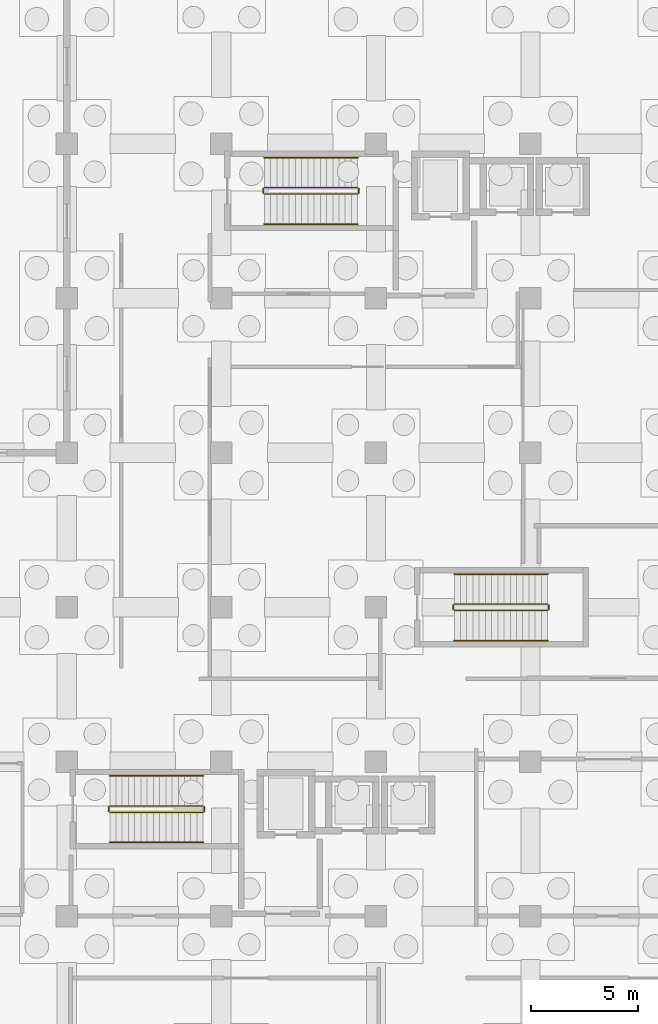
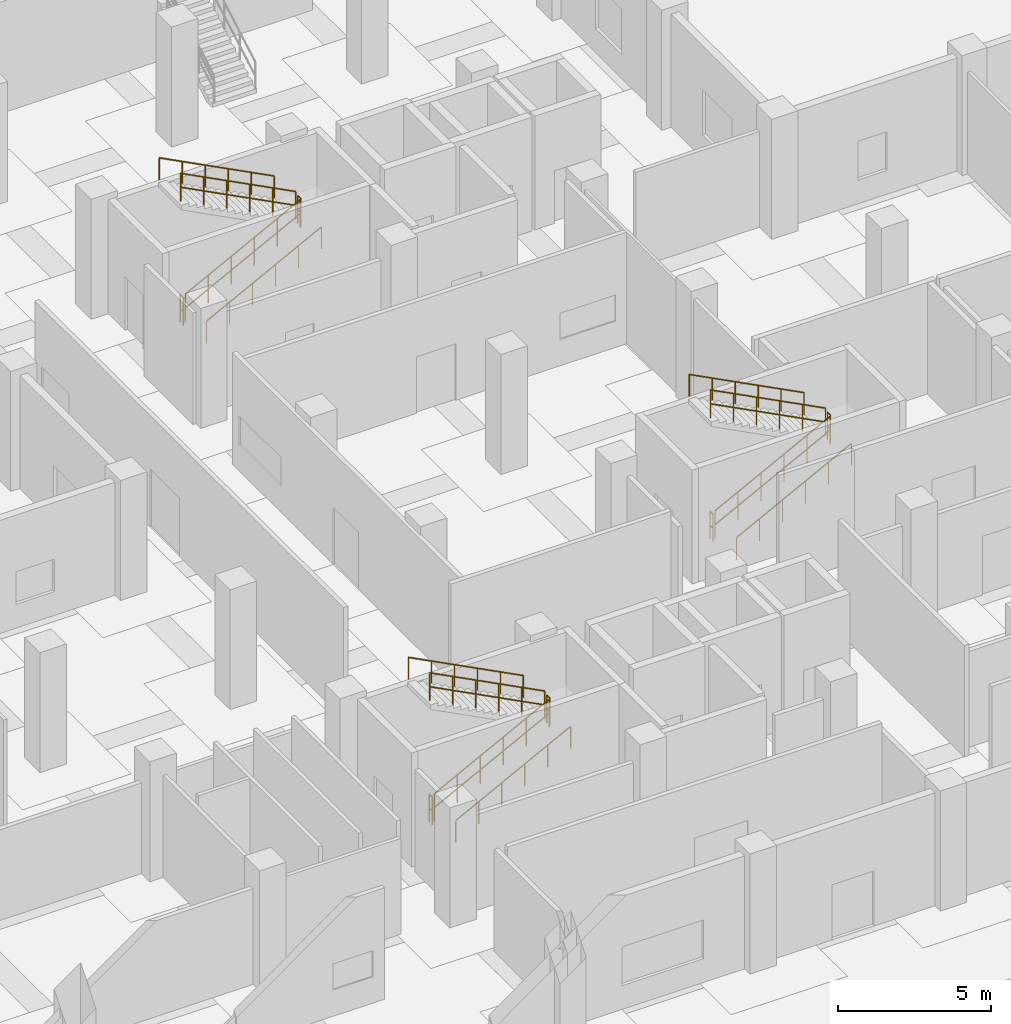
# One storey, part 41 of 48: 18 railings.
"""IFC4 building model written with IfcOpenShell, lengths in metres."""

from ifc_helpers import new_model, si_unit, direction, frame, origin, origin_2d, place, context, subcontext, project, spatial, circle, extrude, material, type_object, element, save


model = new_model("IFC4")

# Units and contexts
model_context = context("Model", 3, precision=1e-05, world=origin(), true_north=direction((0.0, 1.0)))
body_context = subcontext(model_context, "Body", "Model", "MODEL_VIEW")
ifc_project = project(units=[si_unit("LENGTHUNIT", "METRE"), si_unit("AREAUNIT", "SQUARE_METRE"), si_unit("VOLUMEUNIT", "CUBIC_METRE"), si_unit("PLANEANGLEUNIT", "RADIAN"), si_unit("MASSUNIT", "GRAM", prefix="KILO")], contexts=[model_context])

# Site, building, storey
site_placement = place(None, origin())
site = spatial("IfcSite", under=ifc_project, at=site_placement, CompositionType="ELEMENT")
building_placement = place(site_placement, origin())
building = spatial("IfcBuilding", under=site, at=building_placement, Name="Seraya Terrace Polytechnic", CompositionType="ELEMENT")
storey_placement = place(building_placement, origin())
storey = spatial("IfcBuildingStorey", under=building, at=storey_placement, Name="L00", CompositionType="ELEMENT", Elevation=0.0)

# Railings
ifc_material = material(Name="Steel S355J2", Category="steel")
railing_type_1 = type_object("IfcRailingType", Name="GR-02", PredefinedType="GUARDRAIL", material=ifc_material)
railing_1_placement = place(storey_placement, frame((81.199951171875, 12.050048828125, 0.14990234375)))
element("IfcRailing", 1, at=railing_1_placement, inside=storey, type_object=railing_type_1, Name="L00 ST-01 stair guard 1", PredefinedType="GUARDRAIL", context=body_context, shape_type="SweptSolid", body=[
    extrude(circle(Radius=0.02392578125, at=origin_2d()), frame((0.0, 0.0, 1.10595703125), z_axis=(0.888221851817, 0.0, 0.459414782038), x_axis=(0.0, 1.0, 0.0)), (0.0, 0.0, 1.0), 4.8974609375),
    extrude(circle(Radius=0.02392578125, at=origin_2d()), frame((0.0, 0.0, 0.550048828125), z_axis=(0.888221851817, 0.0, 0.459414782038), x_axis=(0.0, 1.0, 0.0)), (0.0, 0.0, 1.0), 4.8974609375),
    extrude(circle(Radius=0.02099609375, at=origin_2d()), origin(), (0.0, 0.0, 1.0), 1.081787109375),
    extrude(circle(Radius=0.02099609375, at=origin_2d()), frame((0.8701171875, 0.0, 0.449951171875)), (0.0, 0.0, 1.0), 1.081787109375),
    extrude(circle(Radius=0.02099609375, at=origin_2d()), frame((1.739990234375, 0.0, 0.89990234375)), (0.0, 0.0, 1.0), 1.081787109375),
    extrude(circle(Radius=0.02099609375, at=origin_2d()), frame((2.610107421875, 0.0, 1.35009765625)), (0.0, 0.0, 1.0), 1.081787109375),
    extrude(circle(Radius=0.02099609375, at=origin_2d()), frame((3.47998046875, 0.0, 1.800048828125)), (0.0, 0.0, 1.0), 1.081787109375),
    extrude(circle(Radius=0.02099609375, at=origin_2d()), frame((4.35009765625, 0.0, 2.25)), (0.0, 0.0, 1.0), 1.081787109375),
])
railing_2_placement = place(storey_placement, frame((85.60009765625, 12.10009765625, 2.39990234375)))
element("IfcRailing", 2, at=railing_2_placement, inside=storey, type_object=railing_type_1, Name="L00 ST-01 stair guard 2", PredefinedType="GUARDRAIL", context=body_context, shape_type="SweptSolid", body=[
    extrude(circle(Radius=0.02392578125, at=origin_2d()), frame((0.0, 0.0, 1.10595703125), z_axis=(0.0, 1.0, 0.0), x_axis=(-1.0, 0.0, 0.0)), (0.0, 0.0, 1.0), 0.199951171875),
    extrude(circle(Radius=0.02392578125, at=origin_2d()), frame((0.0, 0.0, 0.550048828125), z_axis=(0.0, 1.0, 0.0), x_axis=(-1.0, 0.0, 0.0)), (0.0, 0.0, 1.0), 0.199951171875),
    extrude(circle(Radius=0.02099609375, at=origin_2d()), origin(), (0.0, 0.0, 1.0), 1.081787109375),
    extrude(circle(Radius=0.02099609375, at=origin_2d()), frame((0.0, 0.199951171875, 0.0)), (0.0, 0.0, 1.0), 1.081787109375),
])
railing_3_placement = place(storey_placement, frame((85.550048828125, 12.35009765625, 2.550048828125)))
element("IfcRailing", 3, at=railing_3_placement, inside=storey, type_object=railing_type_1, Name="L00 ST-01 stair guard 3", PredefinedType="GUARDRAIL", context=body_context, shape_type="SweptSolid", body=[
    extrude(circle(Radius=0.02392578125, at=origin_2d()), frame((0.0, 0.0, 1.10595703125), z_axis=(-0.888221851817, 0.0, 0.459414782038), x_axis=(0.0, -1.0, 0.0)), (0.0, 0.0, 1.0), 4.8974609375),
    extrude(circle(Radius=0.02392578125, at=origin_2d()), frame((0.0, 0.0, 0.550048828125), z_axis=(-0.888221851817, 0.0, 0.459414782038), x_axis=(0.0, -1.0, 0.0)), (0.0, 0.0, 1.0), 4.8974609375),
    extrude(circle(Radius=0.02099609375, at=origin_2d()), origin(), (0.0, 0.0, 1.0), 1.081787109375),
    extrude(circle(Radius=0.02099609375, at=origin_2d()), frame((-0.8701171875, 0.0, 0.449951171875)), (0.0, 0.0, 1.0), 1.081787109375),
    extrude(circle(Radius=0.02099609375, at=origin_2d()), frame((-1.739990234375, 0.0, 0.89990234375)), (0.0, 0.0, 1.0), 1.081787109375),
    extrude(circle(Radius=0.02099609375, at=origin_2d()), frame((-2.610107421875, 0.0, 1.35009765625)), (0.0, 0.0, 1.0), 1.081787109375),
    extrude(circle(Radius=0.02099609375, at=origin_2d()), frame((-3.47998046875, 0.0, 1.800048828125)), (0.0, 0.0, 1.0), 1.081787109375),
    extrude(circle(Radius=0.02099609375, at=origin_2d()), frame((-4.35009765625, 0.0, 2.25)), (0.0, 0.0, 1.0), 1.081787109375),
])
railing_4_placement = place(storey_placement, frame((81.14990234375, 12.10009765625, 0.0)))
element("IfcRailing", 4, at=railing_4_placement, inside=storey, type_object=railing_type_1, Name="L00 ST-01 stair guard 4", PredefinedType="GUARDRAIL", context=body_context, shape_type="SweptSolid", body=[
    extrude(circle(Radius=0.02392578125, at=origin_2d()), frame((0.0, 0.0, 1.10595703125), z_axis=(0.0, 1.0, 0.0), x_axis=(-1.0, 0.0, 0.0)), (0.0, 0.0, 1.0), 0.199951171875),
    extrude(circle(Radius=0.02392578125, at=origin_2d()), frame((0.0, 0.0, 0.550048828125), z_axis=(0.0, 1.0, 0.0), x_axis=(-1.0, 0.0, 0.0)), (0.0, 0.0, 1.0), 0.199951171875),
    extrude(circle(Radius=0.02099609375, at=origin_2d()), origin(), (0.0, 0.0, 1.0), 1.081787109375),
    extrude(circle(Radius=0.02099609375, at=origin_2d()), frame((0.0, 0.199951171875, 0.0)), (0.0, 0.0, 1.0), 1.081787109375),
])
railing_5_placement = place(storey_placement, frame((88.39990234375, 40.85009765625, 0.14990234375)))
element("IfcRailing", 5, at=railing_5_placement, inside=storey, type_object=railing_type_1, Name="L00 ST-02 stair guard 1", PredefinedType="GUARDRAIL", context=body_context, shape_type="SweptSolid", body=[
    extrude(circle(Radius=0.02392578125, at=origin_2d()), frame((0.0, 0.0, 1.10595703125), z_axis=(0.888221851817, 0.0, 0.459414782038), x_axis=(0.0, 1.0, 0.0)), (0.0, 0.0, 1.0), 4.8974609375),
    extrude(circle(Radius=0.02392578125, at=origin_2d()), frame((0.0, 0.0, 0.550048828125), z_axis=(0.888221851817, 0.0, 0.459414782038), x_axis=(0.0, 1.0, 0.0)), (0.0, 0.0, 1.0), 4.8974609375),
    extrude(circle(Radius=0.02099609375, at=origin_2d()), origin(), (0.0, 0.0, 1.0), 1.081787109375),
    extrude(circle(Radius=0.02099609375, at=origin_2d()), frame((0.8701171875, 0.0, 0.449951171875)), (0.0, 0.0, 1.0), 1.081787109375),
    extrude(circle(Radius=0.02099609375, at=origin_2d()), frame((1.739990234375, 0.0, 0.89990234375)), (0.0, 0.0, 1.0), 1.081787109375),
    extrude(circle(Radius=0.02099609375, at=origin_2d()), frame((2.610107421875, 0.0, 1.35009765625)), (0.0, 0.0, 1.0), 1.081787109375),
    extrude(circle(Radius=0.02099609375, at=origin_2d()), frame((3.47998046875, 0.0, 1.800048828125)), (0.0, 0.0, 1.0), 1.081787109375),
    extrude(circle(Radius=0.02099609375, at=origin_2d()), frame((4.35009765625, 0.0, 2.25)), (0.0, 0.0, 1.0), 1.081787109375),
])
railing_6_placement = place(storey_placement, frame((92.800048828125, 40.89990234375, 2.39990234375)))
element("IfcRailing", 6, at=railing_6_placement, inside=storey, type_object=railing_type_1, Name="L00 ST-02 stair guard 2", PredefinedType="GUARDRAIL", context=body_context, shape_type="SweptSolid", body=[
    extrude(circle(Radius=0.02392578125, at=origin_2d()), frame((0.0, 0.0, 1.10595703125), z_axis=(0.0, 1.0, 0.0), x_axis=(-1.0, 0.0, 0.0)), (0.0, 0.0, 1.0), 0.2001953125),
    extrude(circle(Radius=0.02392578125, at=origin_2d()), frame((0.0, 0.0, 0.550048828125), z_axis=(0.0, 1.0, 0.0), x_axis=(-1.0, 0.0, 0.0)), (0.0, 0.0, 1.0), 0.2001953125),
    extrude(circle(Radius=0.02099609375, at=origin_2d()), origin(), (0.0, 0.0, 1.0), 1.081787109375),
    extrude(circle(Radius=0.02099609375, at=origin_2d()), frame((0.0, 0.2001953125, 0.0)), (0.0, 0.0, 1.0), 1.081787109375),
])
railing_7_placement = place(storey_placement, frame((92.75, 41.14990234375, 2.550048828125)))
element("IfcRailing", 7, at=railing_7_placement, inside=storey, type_object=railing_type_1, Name="L00 ST-02 stair guard 3", PredefinedType="GUARDRAIL", context=body_context, shape_type="SweptSolid", body=[
    extrude(circle(Radius=0.02392578125, at=origin_2d()), frame((0.0, 0.0, 1.10595703125), z_axis=(-0.888221851817, 0.0, 0.459414782038), x_axis=(0.0, -1.0, 0.0)), (0.0, 0.0, 1.0), 4.8974609375),
    extrude(circle(Radius=0.02392578125, at=origin_2d()), frame((0.0, 0.0, 0.550048828125), z_axis=(-0.888221851817, 0.0, 0.459414782038), x_axis=(0.0, -1.0, 0.0)), (0.0, 0.0, 1.0), 4.8974609375),
    extrude(circle(Radius=0.02099609375, at=origin_2d()), origin(), (0.0, 0.0, 1.0), 1.081787109375),
    extrude(circle(Radius=0.02099609375, at=origin_2d()), frame((-0.8701171875, 0.0, 0.449951171875)), (0.0, 0.0, 1.0), 1.081787109375),
    extrude(circle(Radius=0.02099609375, at=origin_2d()), frame((-1.739990234375, 0.0, 0.89990234375)), (0.0, 0.0, 1.0), 1.081787109375),
    extrude(circle(Radius=0.02099609375, at=origin_2d()), frame((-2.610107421875, 0.0, 1.35009765625)), (0.0, 0.0, 1.0), 1.081787109375),
    extrude(circle(Radius=0.02099609375, at=origin_2d()), frame((-3.47998046875, 0.0, 1.800048828125)), (0.0, 0.0, 1.0), 1.081787109375),
    extrude(circle(Radius=0.02099609375, at=origin_2d()), frame((-4.35009765625, 0.0, 2.25)), (0.0, 0.0, 1.0), 1.081787109375),
])
railing_8_placement = place(storey_placement, frame((88.35009765625, 40.89990234375, 0.0)))
element("IfcRailing", 8, at=railing_8_placement, inside=storey, type_object=railing_type_1, Name="L00 ST-02 stair guard 4", PredefinedType="GUARDRAIL", context=body_context, shape_type="SweptSolid", body=[
    extrude(circle(Radius=0.02392578125, at=origin_2d()), frame((0.0, 0.0, 1.10595703125), z_axis=(0.0, 1.0, 0.0), x_axis=(-1.0, 0.0, 0.0)), (0.0, 0.0, 1.0), 0.2001953125),
    extrude(circle(Radius=0.02392578125, at=origin_2d()), frame((0.0, 0.0, 0.550048828125), z_axis=(0.0, 1.0, 0.0), x_axis=(-1.0, 0.0, 0.0)), (0.0, 0.0, 1.0), 0.2001953125),
    extrude(circle(Radius=0.02099609375, at=origin_2d()), origin(), (0.0, 0.0, 1.0), 1.081787109375),
    extrude(circle(Radius=0.02099609375, at=origin_2d()), frame((0.0, 0.2001953125, 0.0)), (0.0, 0.0, 1.0), 1.081787109375),
])
railing_9_placement = place(storey_placement, frame((97.25, 21.449951171875, 0.14990234375)))
element("IfcRailing", 9, at=railing_9_placement, inside=storey, type_object=railing_type_1, Name="L00 ST-05 stair guard 1", PredefinedType="GUARDRAIL", context=body_context, shape_type="SweptSolid", body=[
    extrude(circle(Radius=0.02392578125, at=origin_2d()), frame((0.0, 0.0, 1.10595703125), z_axis=(0.888221851817, 0.0, 0.459414782038), x_axis=(0.0, 1.0, 0.0)), (0.0, 0.0, 1.0), 4.8974609375),
    extrude(circle(Radius=0.02392578125, at=origin_2d()), frame((0.0, 0.0, 0.550048828125), z_axis=(0.888221851817, 0.0, 0.459414782038), x_axis=(0.0, 1.0, 0.0)), (0.0, 0.0, 1.0), 4.8974609375),
    extrude(circle(Radius=0.02099609375, at=origin_2d()), origin(), (0.0, 0.0, 1.0), 1.081787109375),
    extrude(circle(Radius=0.02099609375, at=origin_2d()), frame((0.8701171875, 0.0, 0.449951171875)), (0.0, 0.0, 1.0), 1.081787109375),
    extrude(circle(Radius=0.02099609375, at=origin_2d()), frame((1.739990234375, 0.0, 0.89990234375)), (0.0, 0.0, 1.0), 1.081787109375),
    extrude(circle(Radius=0.02099609375, at=origin_2d()), frame((2.610107421875, 0.0, 1.35009765625)), (0.0, 0.0, 1.0), 1.081787109375),
    extrude(circle(Radius=0.02099609375, at=origin_2d()), frame((3.47998046875, 0.0, 1.800048828125)), (0.0, 0.0, 1.0), 1.081787109375),
    extrude(circle(Radius=0.02099609375, at=origin_2d()), frame((4.35009765625, 0.0, 2.25)), (0.0, 0.0, 1.0), 1.081787109375),
])
railing_10_placement = place(storey_placement, frame((101.64990234375, 21.5, 2.39990234375)))
element("IfcRailing", 10, at=railing_10_placement, inside=storey, type_object=railing_type_1, Name="L00 ST-05 stair guard 2", PredefinedType="GUARDRAIL", context=body_context, shape_type="SweptSolid", body=[
    extrude(circle(Radius=0.02392578125, at=origin_2d()), frame((0.0, 0.0, 1.10595703125), z_axis=(0.0, 1.0, 0.0), x_axis=(-1.0, 0.0, 0.0)), (0.0, 0.0, 1.0), 0.199951171875),
    extrude(circle(Radius=0.02392578125, at=origin_2d()), frame((0.0, 0.0, 0.550048828125), z_axis=(0.0, 1.0, 0.0), x_axis=(-1.0, 0.0, 0.0)), (0.0, 0.0, 1.0), 0.199951171875),
    extrude(circle(Radius=0.02099609375, at=origin_2d()), origin(), (0.0, 0.0, 1.0), 1.081787109375),
    extrude(circle(Radius=0.02099609375, at=origin_2d()), frame((0.0, 0.199951171875, 0.0)), (0.0, 0.0, 1.0), 1.081787109375),
])
railing_11_placement = place(storey_placement, frame((101.60009765625, 21.75, 2.550048828125)))
element("IfcRailing", 11, at=railing_11_placement, inside=storey, type_object=railing_type_1, Name="L00 ST-05 stair guard 3", PredefinedType="GUARDRAIL", context=body_context, shape_type="SweptSolid", body=[
    extrude(circle(Radius=0.02392578125, at=origin_2d()), frame((0.0, 0.0, 1.10595703125), z_axis=(-0.888221851817, 0.0, 0.459414782038), x_axis=(0.0, -1.0, 0.0)), (0.0, 0.0, 1.0), 4.8974609375),
    extrude(circle(Radius=0.02392578125, at=origin_2d()), frame((0.0, 0.0, 0.550048828125), z_axis=(-0.888221851817, 0.0, 0.459414782038), x_axis=(0.0, -1.0, 0.0)), (0.0, 0.0, 1.0), 4.8974609375),
    extrude(circle(Radius=0.02099609375, at=origin_2d()), origin(), (0.0, 0.0, 1.0), 1.081787109375),
    extrude(circle(Radius=0.02099609375, at=origin_2d()), frame((-0.8701171875, 0.0, 0.449951171875)), (0.0, 0.0, 1.0), 1.081787109375),
    extrude(circle(Radius=0.02099609375, at=origin_2d()), frame((-1.739990234375, 0.0, 0.89990234375)), (0.0, 0.0, 1.0), 1.081787109375),
    extrude(circle(Radius=0.02099609375, at=origin_2d()), frame((-2.610107421875, 0.0, 1.35009765625)), (0.0, 0.0, 1.0), 1.081787109375),
    extrude(circle(Radius=0.02099609375, at=origin_2d()), frame((-3.47998046875, 0.0, 1.800048828125)), (0.0, 0.0, 1.0), 1.081787109375),
    extrude(circle(Radius=0.02099609375, at=origin_2d()), frame((-4.35009765625, 0.0, 2.25)), (0.0, 0.0, 1.0), 1.081787109375),
])
railing_12_placement = place(storey_placement, frame((97.199951171875, 21.5, 0.0)))
element("IfcRailing", 12, at=railing_12_placement, inside=storey, type_object=railing_type_1, Name="L00 ST-05 stair guard 4", PredefinedType="GUARDRAIL", context=body_context, shape_type="SweptSolid", body=[
    extrude(circle(Radius=0.02392578125, at=origin_2d()), frame((0.0, 0.0, 1.10595703125), z_axis=(0.0, 1.0, 0.0), x_axis=(-1.0, 0.0, 0.0)), (0.0, 0.0, 1.0), 0.199951171875),
    extrude(circle(Radius=0.02392578125, at=origin_2d()), frame((0.0, 0.0, 0.550048828125), z_axis=(0.0, 1.0, 0.0), x_axis=(-1.0, 0.0, 0.0)), (0.0, 0.0, 1.0), 0.199951171875),
    extrude(circle(Radius=0.02099609375, at=origin_2d()), origin(), (0.0, 0.0, 1.0), 1.081787109375),
    extrude(circle(Radius=0.02099609375, at=origin_2d()), frame((0.0, 0.199951171875, 0.0)), (0.0, 0.0, 1.0), 1.081787109375),
])
railing_type_2 = type_object("IfcRailingType", Name="HR-01", PredefinedType="HANDRAIL", material=ifc_material)
railing_13_placement = place(storey_placement, frame((81.199951171875, 10.64990234375, 0.14990234375)))
element("IfcRailing", 13, at=railing_13_placement, inside=storey, type_object=railing_type_2, Name="L00 ST-01 stair handrail 1", PredefinedType="HANDRAIL", context=body_context, shape_type="SweptSolid", body=[
    extrude(circle(Radius=0.02392578125, at=origin_2d()), frame((0.0, 0.0, 0.8759765625), z_axis=(0.888221851817, 0.0, 0.459414782038), x_axis=(0.0, 1.0, 0.0)), (0.0, 0.0, 1.0), 4.8974609375),
    extrude(circle(Radius=0.02099609375, at=origin_2d()), origin(), (0.0, 0.0, 1.0), 0.851806640625),
    extrude(circle(Radius=0.02099609375, at=origin_2d()), frame((0.8701171875, 0.0, 0.449951171875)), (0.0, 0.0, 1.0), 0.851806640625),
    extrude(circle(Radius=0.02099609375, at=origin_2d()), frame((1.739990234375, 0.0, 0.89990234375)), (0.0, 0.0, 1.0), 0.851806640625),
    extrude(circle(Radius=0.02099609375, at=origin_2d()), frame((2.610107421875, 0.0, 1.35009765625)), (0.0, 0.0, 1.0), 0.851806640625),
    extrude(circle(Radius=0.02099609375, at=origin_2d()), frame((3.47998046875, 0.0, 1.800048828125)), (0.0, 0.0, 1.0), 0.851806640625),
    extrude(circle(Radius=0.02099609375, at=origin_2d()), frame((4.35009765625, 0.0, 2.25)), (0.0, 0.0, 1.0), 0.851806640625),
])
railing_14_placement = place(storey_placement, frame((85.550048828125, 13.75, 2.550048828125)))
element("IfcRailing", 14, at=railing_14_placement, inside=storey, type_object=railing_type_2, Name="L00 ST-01 stair handrail 2", PredefinedType="HANDRAIL", context=body_context, shape_type="SweptSolid", body=[
    extrude(circle(Radius=0.02392578125, at=origin_2d()), frame((0.0, 0.0, 0.8759765625), z_axis=(-0.888221851817, 0.0, 0.459414782038), x_axis=(0.0, -1.0, 0.0)), (0.0, 0.0, 1.0), 4.8974609375),
    extrude(circle(Radius=0.02099609375, at=origin_2d()), origin(), (0.0, 0.0, 1.0), 0.851806640625),
    extrude(circle(Radius=0.02099609375, at=origin_2d()), frame((-0.8701171875, 0.0, 0.449951171875)), (0.0, 0.0, 1.0), 0.851806640625),
    extrude(circle(Radius=0.02099609375, at=origin_2d()), frame((-1.739990234375, 0.0, 0.89990234375)), (0.0, 0.0, 1.0), 0.851806640625),
    extrude(circle(Radius=0.02099609375, at=origin_2d()), frame((-2.610107421875, 0.0, 1.35009765625)), (0.0, 0.0, 1.0), 0.851806640625),
    extrude(circle(Radius=0.02099609375, at=origin_2d()), frame((-3.47998046875, 0.0, 1.800048828125)), (0.0, 0.0, 1.0), 0.851806640625),
    extrude(circle(Radius=0.02099609375, at=origin_2d()), frame((-4.35009765625, 0.0, 2.25)), (0.0, 0.0, 1.0), 0.851806640625),
])
railing_15_placement = place(storey_placement, frame((88.39990234375, 39.449951171875, 0.14990234375)))
element("IfcRailing", 15, at=railing_15_placement, inside=storey, type_object=railing_type_2, Name="L00 ST-02 stair handrail 1", PredefinedType="HANDRAIL", context=body_context, shape_type="SweptSolid", body=[
    extrude(circle(Radius=0.02392578125, at=origin_2d()), frame((0.0, 0.0, 0.8759765625), z_axis=(0.888221851817, 0.0, 0.459414782038), x_axis=(0.0, 1.0, 0.0)), (0.0, 0.0, 1.0), 4.8974609375),
    extrude(circle(Radius=0.02099609375, at=origin_2d()), origin(), (0.0, 0.0, 1.0), 0.851806640625),
    extrude(circle(Radius=0.02099609375, at=origin_2d()), frame((0.8701171875, 0.0, 0.449951171875)), (0.0, 0.0, 1.0), 0.851806640625),
    extrude(circle(Radius=0.02099609375, at=origin_2d()), frame((1.739990234375, 0.0, 0.89990234375)), (0.0, 0.0, 1.0), 0.851806640625),
    extrude(circle(Radius=0.02099609375, at=origin_2d()), frame((2.610107421875, 0.0, 1.35009765625)), (0.0, 0.0, 1.0), 0.851806640625),
    extrude(circle(Radius=0.02099609375, at=origin_2d()), frame((3.47998046875, 0.0, 1.800048828125)), (0.0, 0.0, 1.0), 0.851806640625),
    extrude(circle(Radius=0.02099609375, at=origin_2d()), frame((4.35009765625, 0.0, 2.25)), (0.0, 0.0, 1.0), 0.851806640625),
])
railing_16_placement = place(storey_placement, frame((92.75, 42.550048828125, 2.550048828125)))
element("IfcRailing", 16, at=railing_16_placement, inside=storey, type_object=railing_type_2, Name="L00 ST-02 stair handrail 2", PredefinedType="HANDRAIL", context=body_context, shape_type="SweptSolid", body=[
    extrude(circle(Radius=0.02392578125, at=origin_2d()), frame((0.0, 0.0, 0.8759765625), z_axis=(-0.888221851817, 0.0, 0.459414782038), x_axis=(0.0, -1.0, 0.0)), (0.0, 0.0, 1.0), 4.8974609375),
    extrude(circle(Radius=0.02099609375, at=origin_2d()), origin(), (0.0, 0.0, 1.0), 0.851806640625),
    extrude(circle(Radius=0.02099609375, at=origin_2d()), frame((-0.8701171875, 0.0, 0.449951171875)), (0.0, 0.0, 1.0), 0.851806640625),
    extrude(circle(Radius=0.02099609375, at=origin_2d()), frame((-1.739990234375, 0.0, 0.89990234375)), (0.0, 0.0, 1.0), 0.851806640625),
    extrude(circle(Radius=0.02099609375, at=origin_2d()), frame((-2.610107421875, 0.0, 1.35009765625)), (0.0, 0.0, 1.0), 0.851806640625),
    extrude(circle(Radius=0.02099609375, at=origin_2d()), frame((-3.47998046875, 0.0, 1.800048828125)), (0.0, 0.0, 1.0), 0.851806640625),
    extrude(circle(Radius=0.02099609375, at=origin_2d()), frame((-4.35009765625, 0.0, 2.25)), (0.0, 0.0, 1.0), 0.851806640625),
])
railing_17_placement = place(storey_placement, frame((97.25, 20.050048828125, 0.14990234375)))
element("IfcRailing", 17, at=railing_17_placement, inside=storey, type_object=railing_type_2, Name="L00 ST-05 stair handrail 1", PredefinedType="HANDRAIL", context=body_context, shape_type="SweptSolid", body=[
    extrude(circle(Radius=0.02392578125, at=origin_2d()), frame((0.0, 0.0, 0.8759765625), z_axis=(0.888221851817, 0.0, 0.459414782038), x_axis=(0.0, 1.0, 0.0)), (0.0, 0.0, 1.0), 4.8974609375),
    extrude(circle(Radius=0.02099609375, at=origin_2d()), origin(), (0.0, 0.0, 1.0), 0.851806640625),
    extrude(circle(Radius=0.02099609375, at=origin_2d()), frame((0.8701171875, 0.0, 0.449951171875)), (0.0, 0.0, 1.0), 0.851806640625),
    extrude(circle(Radius=0.02099609375, at=origin_2d()), frame((1.739990234375, 0.0, 0.89990234375)), (0.0, 0.0, 1.0), 0.851806640625),
    extrude(circle(Radius=0.02099609375, at=origin_2d()), frame((2.610107421875, 0.0, 1.35009765625)), (0.0, 0.0, 1.0), 0.851806640625),
    extrude(circle(Radius=0.02099609375, at=origin_2d()), frame((3.47998046875, 0.0, 1.800048828125)), (0.0, 0.0, 1.0), 0.851806640625),
    extrude(circle(Radius=0.02099609375, at=origin_2d()), frame((4.35009765625, 0.0, 2.25)), (0.0, 0.0, 1.0), 0.851806640625),
])
railing_18_placement = place(storey_placement, frame((101.60009765625, 23.14990234375, 2.550048828125)))
element("IfcRailing", 18, at=railing_18_placement, inside=storey, type_object=railing_type_2, Name="L00 ST-05 stair handrail 2", PredefinedType="HANDRAIL", context=body_context, shape_type="SweptSolid", body=[
    extrude(circle(Radius=0.02392578125, at=origin_2d()), frame((0.0, 0.0, 0.8759765625), z_axis=(-0.888221851817, 0.0, 0.459414782038), x_axis=(0.0, -1.0, 0.0)), (0.0, 0.0, 1.0), 4.8974609375),
    extrude(circle(Radius=0.02099609375, at=origin_2d()), origin(), (0.0, 0.0, 1.0), 0.851806640625),
    extrude(circle(Radius=0.02099609375, at=origin_2d()), frame((-0.8701171875, 0.0, 0.449951171875)), (0.0, 0.0, 1.0), 0.851806640625),
    extrude(circle(Radius=0.02099609375, at=origin_2d()), frame((-1.739990234375, 0.0, 0.89990234375)), (0.0, 0.0, 1.0), 0.851806640625),
    extrude(circle(Radius=0.02099609375, at=origin_2d()), frame((-2.610107421875, 0.0, 1.35009765625)), (0.0, 0.0, 1.0), 0.851806640625),
    extrude(circle(Radius=0.02099609375, at=origin_2d()), frame((-3.47998046875, 0.0, 1.800048828125)), (0.0, 0.0, 1.0), 0.851806640625),
    extrude(circle(Radius=0.02099609375, at=origin_2d()), frame((-4.35009765625, 0.0, 2.25)), (0.0, 0.0, 1.0), 0.851806640625),
])

save(model, "model.ifc")
